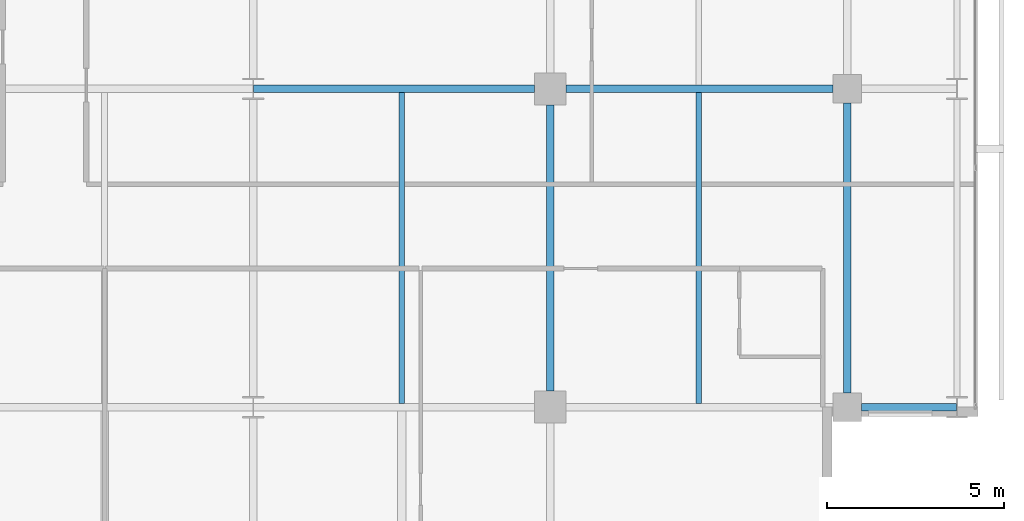
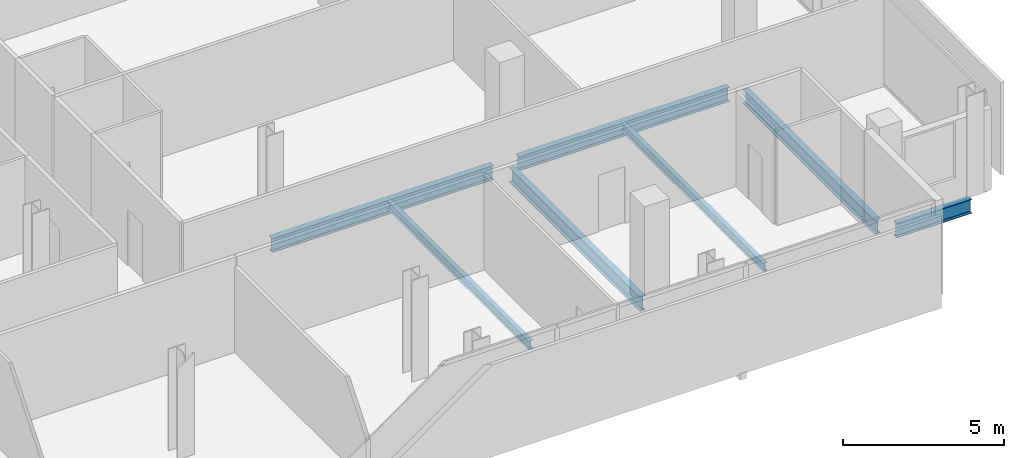
# One storey, part 14 of 32: 7 beams.
"""IFC4 building model written with IfcOpenShell, lengths in metres."""

from ifc_helpers import new_model, si_unit, direction, frame, origin, origin_2d, place, context, subcontext, project, spatial, i_section, extrude, material, material_profile, profile_set, type_object, element, save


model = new_model("IFC4")

# Units and contexts
model_context = context("Model", 3, precision=1e-05, world=origin(), true_north=direction((0.0, 1.0)))
body_context = subcontext(model_context, "Body", "Model", "MODEL_VIEW")
ifc_project = project(units=[si_unit("LENGTHUNIT", "METRE"), si_unit("AREAUNIT", "SQUARE_METRE"), si_unit("VOLUMEUNIT", "CUBIC_METRE"), si_unit("PLANEANGLEUNIT", "RADIAN"), si_unit("MASSUNIT", "GRAM", prefix="KILO")], contexts=[model_context])

# Site, building, storey
site_placement = place(None, origin())
site = spatial("IfcSite", under=ifc_project, at=site_placement, CompositionType="ELEMENT")
building_placement = place(site_placement, origin())
building = spatial("IfcBuilding", under=site, at=building_placement, Name="Maruvema Waterfront Hotel and Observation Tower", CompositionType="ELEMENT")
storey_placement = place(building_placement, frame((0.0, 0.0, 219.800048828125)))
storey = spatial("IfcBuildingStorey", under=building, at=storey_placement, Name="L54", CompositionType="ELEMENT", Elevation=219.800048828125)

# Beams
ifc_material_1 = material(Name="Steel ASTM A572 Grade 50", Category="steel")
ifc_material_profile_1 = material_profile(ifc_material_1, i_section(OverallWidth=0.2109375, OverallDepth=0.5390625, WebThickness=0.01171875, FlangeThickness=0.018798828125, FilletRadius=0.014892578125, at=origin_2d()), Name="W530x109.0")
ifc_profile_set_1 = profile_set([ifc_material_profile_1], Name="Steel ASTM A572 Grade 50")
beam_type_1 = type_object("IfcBeamType", Name="Primary Floor Girder W530x109.0", PredefinedType="BEAM", material=ifc_profile_set_1)
beam_1_placement = place(storey_placement, frame((59.199951171875, 9.0, -0.509521484375), z_axis=(1.0, 0.0, 0.0), x_axis=(0.0, 1.0, 0.0)))
element("IfcBeam", 1, at=beam_1_placement, inside=storey, type_object=beam_type_1, Name="L54 Floor Girder EW-10", PredefinedType="BEAM", context=body_context, shape_type="SweptSolid", body=[
    extrude(i_section(OverallWidth=0.2109375, OverallDepth=0.5390625, WebThickness=0.01171875, FlangeThickness=0.018798828125, FilletRadius=0.014892578125, at=origin_2d()), origin(), (0.0, 0.0, 1.0), 2.6875),
])
beam_2_placement = place(storey_placement, frame((42.012451171875, 18.0, -0.509521484375), z_axis=(1.0, 0.0, 0.0), x_axis=(0.0, 1.0, 0.0)))
element("IfcBeam", 2, at=beam_2_placement, inside=storey, type_object=beam_type_1, Name="L54 Floor Girder EW-15", PredefinedType="BEAM", context=body_context, shape_type="SweptSolid", body=[
    extrude(i_section(OverallWidth=0.2109375, OverallDepth=0.5390625, WebThickness=0.01171875, FlangeThickness=0.018798828125, FilletRadius=0.014892578125, at=origin_2d()), origin(), (0.0, 0.0, 1.0), 7.9375),
])
beam_3_placement = place(storey_placement, frame((50.85009765625, 18.0, -0.509521484375), z_axis=(1.0, 0.0, 0.0), x_axis=(0.0, 1.0, 0.0)))
element("IfcBeam", 3, at=beam_3_placement, inside=storey, type_object=beam_type_1, Name="L54 Floor Girder EW-16", PredefinedType="BEAM", context=body_context, shape_type="SweptSolid", body=[
    extrude(i_section(OverallWidth=0.2109375, OverallDepth=0.5390625, WebThickness=0.01171875, FlangeThickness=0.018798828125, FilletRadius=0.014892578125, at=origin_2d()), origin(), (0.0, 0.0, 1.0), 7.5498046875),
])
beam_4_placement = place(storey_placement, frame((50.39990234375, 9.449951171875, -0.509521484375), z_axis=(0.0, 1.0, 0.0), x_axis=(-1.0, 0.0, 0.0)))
element("IfcBeam", 4, at=beam_4_placement, inside=storey, type_object=beam_type_1, Name="L54 Floor Girder NS-21", PredefinedType="BEAM", context=body_context, shape_type="SweptSolid", body=[
    extrude(i_section(OverallWidth=0.2109375, OverallDepth=0.5390625, WebThickness=0.01171875, FlangeThickness=0.018798828125, FilletRadius=0.014892578125, at=origin_2d()), origin(), (0.0, 0.0, 1.0), 8.10009765625),
])
beam_5_placement = place(storey_placement, frame((58.800048828125, 9.39990234375, -0.509521484375), z_axis=(0.0, 1.0, 0.0), x_axis=(-1.0, 0.0, 0.0)))
element("IfcBeam", 5, at=beam_5_placement, inside=storey, type_object=beam_type_1, Name="L54 Floor Girder NS-25", PredefinedType="BEAM", context=body_context, shape_type="SweptSolid", body=[
    extrude(i_section(OverallWidth=0.2109375, OverallDepth=0.5390625, WebThickness=0.01171875, FlangeThickness=0.018798828125, FilletRadius=0.014892578125, at=origin_2d()), origin(), (0.0, 0.0, 1.0), 8.2001953125),
])
ifc_material_2 = material(Name="Steel ASTM A572 Grade 50", Category="steel")
ifc_material_profile_2 = material_profile(ifc_material_2, i_section(OverallWidth=0.1650390625, OverallDepth=0.31005859375, WebThickness=0.005859375, FlangeThickness=0.009765625, FilletRadius=0.012939453125, at=origin_2d()), Name="W310x38.7")
ifc_profile_set_2 = profile_set([ifc_material_profile_2], Name="Steel ASTM A572 Grade 50")
beam_type_2 = type_object("IfcBeamType", Name="Secondary Floor Joist W310x38.7", PredefinedType="JOIST", material=ifc_profile_set_2)
beam_6_placement = place(storey_placement, frame((54.60009765625, 9.10546875, -0.39501953125), z_axis=(0.0, 1.0, 0.0), x_axis=(-1.0, 0.0, 0.0)))
element("IfcBeam", 6, at=beam_6_placement, inside=storey, type_object=beam_type_2, Name="L54 Secondary Floor Joist JS-11", PredefinedType="JOIST", context=body_context, shape_type="SweptSolid", body=[
    extrude(i_section(OverallWidth=0.1650390625, OverallDepth=0.31005859375, WebThickness=0.005859375, FlangeThickness=0.009765625, FilletRadius=0.012939453125, at=origin_2d()), origin(), (0.0, 0.0, 1.0), 8.7890625),
])
ifc_material_3 = material(Name="Steel ASTM A572 Grade 50", Category="steel")
ifc_material_profile_3 = material_profile(ifc_material_3, i_section(OverallWidth=0.1669921875, OverallDepth=0.31689453125, WebThickness=0.007568359375, FlangeThickness=0.01318359375, FilletRadius=0.012939453125, at=origin_2d()), Name="W310x52.0")
ifc_profile_set_3 = profile_set([ifc_material_profile_3], Name="Steel ASTM A572 Grade 50")
beam_type_3 = type_object("IfcBeamType", Name="Secondary Floor Joist W310x52.0", PredefinedType="JOIST", material=ifc_profile_set_3)
beam_7_placement = place(storey_placement, frame((46.199951171875, 9.10546875, -0.3984375), z_axis=(0.0, 1.0, 0.0), x_axis=(-1.0, 0.0, 0.0)))
element("IfcBeam", 7, at=beam_7_placement, inside=storey, type_object=beam_type_3, Name="L54 Secondary Floor Joist JS-10", PredefinedType="JOIST", context=body_context, shape_type="SweptSolid", body=[
    extrude(i_section(OverallWidth=0.1669921875, OverallDepth=0.31689453125, WebThickness=0.007568359375, FlangeThickness=0.01318359375, FilletRadius=0.012939453125, at=origin_2d()), origin(), (0.0, 0.0, 1.0), 8.7890625),
])

save(model, "model.ifc")
